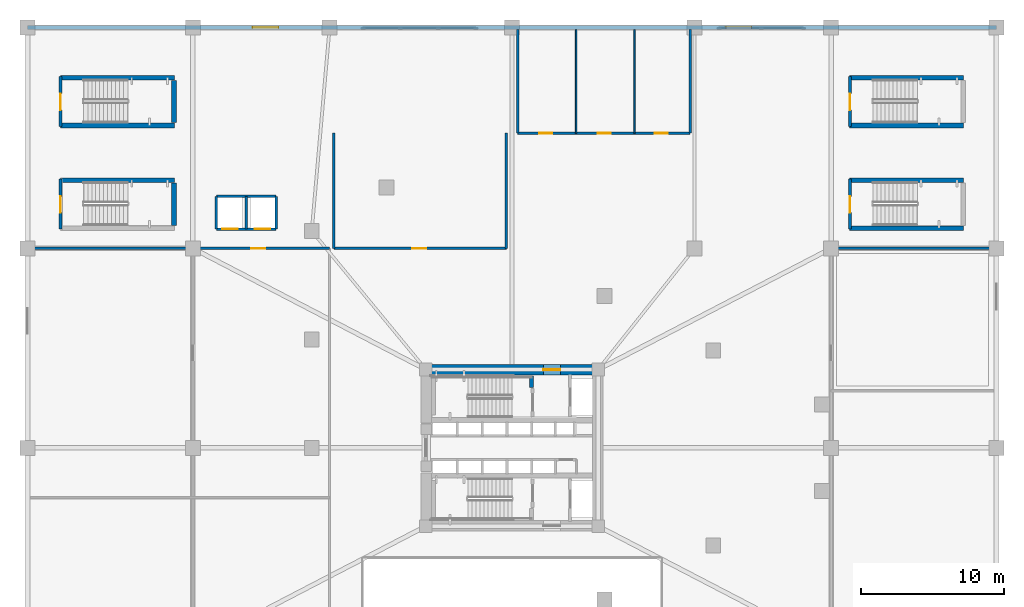
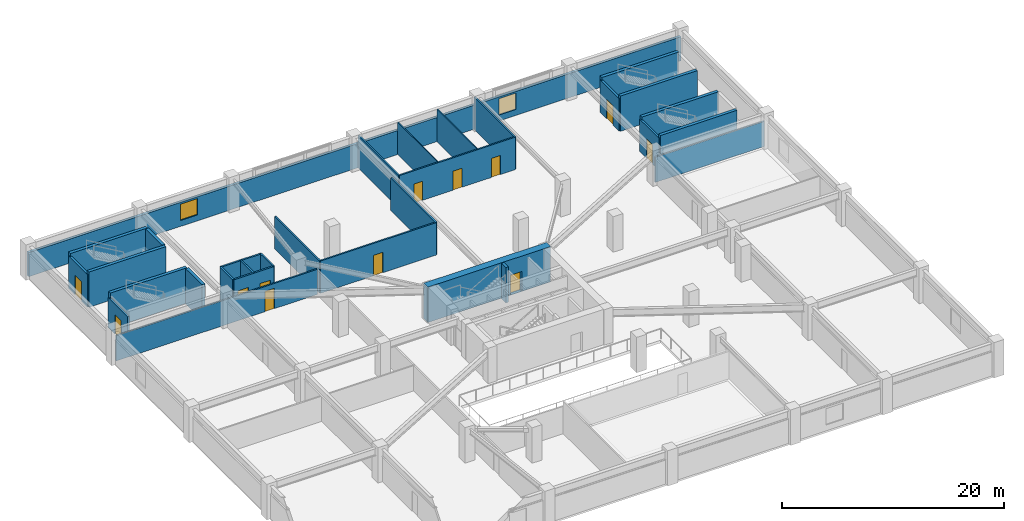
# One storey, part 6 of 15: 31 walls, 12 doors, 2 windows, 14 openings.
"""IFC4 building model written with IfcOpenShell, lengths in metres."""

from ifc_helpers import new_model, si_unit, direction, frame, frame_2d, origin, place, context, subcontext, project, spatial, rectangle, extrude, material, layer, layer_set, type_object, element, fill, save


model = new_model("IFC4")

# Units and contexts
model_context = context("Model", 3, precision=1e-05, world=origin(), true_north=direction((0.0, 1.0)))
body_context = subcontext(model_context, "Body", "Model", "MODEL_VIEW")
ifc_project = project(units=[si_unit("LENGTHUNIT", "METRE"), si_unit("AREAUNIT", "SQUARE_METRE"), si_unit("VOLUMEUNIT", "CUBIC_METRE"), si_unit("PLANEANGLEUNIT", "RADIAN"), si_unit("MASSUNIT", "GRAM", prefix="KILO")], contexts=[model_context])

# Site, building, storey
site_placement = place(None, origin())
site = spatial("IfcSite", under=ifc_project, at=site_placement, CompositionType="ELEMENT")
building_placement = place(site_placement, origin())
building = spatial("IfcBuilding", under=site, at=building_placement, Name="Yunling Apex Tower", CompositionType="ELEMENT")
storey_placement = place(building_placement, frame((0.0, 0.0, 12.300048828125)))
storey = spatial("IfcBuildingStorey", under=building, at=storey_placement, Name="L04", CompositionType="ELEMENT", Elevation=12.300048828125)

# Wall, opening, door
ifc_material_1 = material(Name="Concrete C60", Category="concrete")
ifc_layer_1 = layer(ifc_material_1, 0.75)
ifc_layer_set_1 = layer_set([ifc_layer_1], Name="Concrete C60")
wall_type_1 = type_object("IfcWallType", Name="WL-COR-1", PredefinedType="SHEAR", material=ifc_layer_set_1)
wall_1_placement = place(storey_placement, frame((-6.39990234375, 5.47509765625, 0.0), z_axis=(0.0, 0.0, 1.0), x_axis=(1.0, 0.0, 0.0)))
wall_1 = element("IfcWall", 1, at=wall_1_placement, inside=storey, type_object=wall_type_1, Name="L04 North Core Shear Wall", PredefinedType="SHEAR", context=body_context, shape_type="SweptSolid", body=[
    extrude(rectangle(XDim=12.7998046875, YDim=0.75, at=frame_2d((6.39990234375, 0.0))), origin(), (0.0, 0.0, 1.0), 3.89990234375),
])
opening_1_placement = place(wall_1_placement, frame((8.60009765625, 0.0, 0.0)))
opening_1 = element("IfcOpeningElement", 2, at=opening_1_placement, cuts=wall_1, Name="Opening DR-FFL-1", PredefinedType="OPENING", context=body_context, shape_type="SweptSolid", body=[
    extrude(rectangle(XDim=1.199951171875, YDim=2.199951171875, at=frame_2d((0.60009765625, 1.10009765625))), frame((0.0, 0.385009765625, 0.0), z_axis=(0.0, -1.0, 0.0), x_axis=(1.0, 0.0, 0.0)), (0.0, 0.0, 1.0), 0.77001953125),
])
ifc_material_2 = material(Name="Steel Q355B", Category="steel")
door_type_1 = type_object("IfcDoorType", Name="DR-FFL-1", OperationType="NOTDEFINED", PredefinedType="DOOR", material=ifc_material_2)
door_1_placement = place(opening_1_placement, origin())
door_1 = element("IfcDoor", 3, at=door_1_placement, inside=storey, type_object=door_type_1, Name="L04 North Firefighting Lobby Door", OperationType="SINGLE_SWING_LEFT", OverallHeight=2.199951171875, OverallWidth=1.199951171875, PredefinedType="DOOR", context=body_context, shape_type="SweptSolid", body=[
    extrude(rectangle(XDim=1.199951171875, YDim=2.199951171875, at=frame_2d((0.60009765625, 1.10009765625))), frame((0.0, 0.02490234375, 0.0), z_axis=(0.0, -1.0, 0.0), x_axis=(1.0, 0.0, 0.0)), (0.0, 0.0, 1.0), 0.050048828125),
])
fill(opening_1, door_1)

# Walls
ifc_material_3 = material(Name="Concrete C40", Category="concrete")
ifc_layer_2 = layer(ifc_material_3, 0.320068359375)
ifc_layer_set_2 = layer_set([ifc_layer_2], Name="Concrete C40")
wall_type_2 = type_object("IfcWallType", Name="WL-COR-7", PredefinedType="SHEAR", material=ifc_layer_set_2)
wall_2_placement = place(storey_placement, frame((-31.699951171875, 18.780029296875, 0.0), z_axis=(0.0, 0.0, 1.0), x_axis=(1.0, 0.0, 0.0)))
element("IfcWall", 4, at=wall_2_placement, inside=storey, type_object=wall_type_2, Name="L04 STP1 North Bearing Wall", PredefinedType="SHEAR", context=body_context, shape_type="SweptSolid", body=[
    extrude(rectangle(XDim=8.0, YDim=0.320068359375, at=frame_2d((4.0, 0.0))), origin(), (0.0, 0.0, 1.0), 3.89990234375),
])
wall_3_placement = place(storey_placement, frame((-23.719970703125, 15.6201171875, 0.0), z_axis=(0.0, 0.0, 1.0), x_axis=(0.0, 1.0, 0.0)))
element("IfcWall", 5, at=wall_3_placement, inside=storey, type_object=wall_type_2, Name="L04 STP1 Half-Landing Bearing Wall", PredefinedType="SHEAR", context=body_context, shape_type="SweptSolid", body=[
    extrude(rectangle(XDim=2.9599609375, YDim=0.320068359375, at=frame_2d((1.47998046875, 0.0))), origin(), (0.0, 0.0, 1.0), 3.89990234375),
])
for number, where, z_axis, x_axis, name in (
    (6, (23.699951171875, 18.780029296875, 0.0), (0.0, 0.0, 1.0), (1.0, 0.0, 0.0), "L04 STP2 North Bearing Wall"),
    (7, (23.699951171875, 15.419921875, 0.0), (0.0, 0.0, 1.0), (1.0, 0.0, 0.0), "L04 STP2 South Bearing Wall"),
    (8, (-31.699951171875, 25.97998046875, 0.0), (0.0, 0.0, 1.0), (1.0, 0.0, 0.0), "L04 STG1 North Bearing Wall"),
    (9, (-31.699951171875, 22.6201171875, 0.0), (0.0, 0.0, 1.0), (1.0, 0.0, 0.0), "L04 STG1 South Bearing Wall"),
):
    element("IfcWall", number, at=place(storey_placement, frame(where, z_axis=z_axis, x_axis=x_axis)), inside=storey, type_object=wall_type_2, Name=name, PredefinedType="SHEAR", context=body_context, shape_type="SweptSolid", body=[
        extrude(rectangle(XDim=8.0, YDim=0.320068359375, at=frame_2d((4.0, 0.0))), origin(), (0.0, 0.0, 1.0), 3.89990234375),
    ])
wall_4_placement = place(storey_placement, frame((-23.719970703125, 22.820068359375, 0.0), z_axis=(0.0, 0.0, 1.0), x_axis=(0.0, 1.0, 0.0)))
element("IfcWall", 10, at=wall_4_placement, inside=storey, type_object=wall_type_2, Name="L04 STG1 Half-Landing Bearing Wall", PredefinedType="SHEAR", context=body_context, shape_type="SweptSolid", body=[
    extrude(rectangle(XDim=2.9599609375, YDim=0.320068359375, at=frame_2d((1.47998046875, 0.0))), origin(), (0.0, 0.0, 1.0), 3.89990234375),
])
for number, where, z_axis, x_axis, name in (
    (11, (23.699951171875, 25.97998046875, 0.0), (0.0, 0.0, 1.0), (1.0, 0.0, 0.0), "L04 STG2 North Bearing Wall"),
    (12, (23.699951171875, 22.6201171875, 0.0), (0.0, 0.0, 1.0), (1.0, 0.0, 0.0), "L04 STG2 South Bearing Wall"),
):
    element("IfcWall", number, at=place(storey_placement, frame(where, z_axis=z_axis, x_axis=x_axis)), inside=storey, type_object=wall_type_2, Name=name, PredefinedType="SHEAR", context=body_context, shape_type="SweptSolid", body=[
        extrude(rectangle(XDim=8.0, YDim=0.320068359375, at=frame_2d((4.0, 0.0))), origin(), (0.0, 0.0, 1.0), 3.89990234375),
    ])
ifc_layer_3 = layer(ifc_material_3, 0.280029296875)
ifc_layer_set_3 = layer_set([ifc_layer_3], Name="Concrete C40")
wall_type_3 = type_object("IfcWallType", Name="WL-COR-8", PredefinedType="SHEAR", material=ifc_layer_set_3)
wall_5_placement = place(storey_placement, frame((1.3798828125, 4.25, 0.0), z_axis=(0.0, 0.0, 1.0), x_axis=(0.0, 1.0, 0.0)))
element("IfcWall", 13, at=wall_5_placement, inside=storey, type_object=wall_type_3, Name="L04 ST-1 East Landing Bearing Pier", PredefinedType="SHEAR", context=body_context, shape_type="SweptSolid", body=[
    extrude(rectangle(XDim=0.800048828125, YDim=0.280029296875, at=frame_2d((0.39990234375, 0.0))), origin(), (0.0, 0.0, 1.0), 3.89990234375),
])

# Wall, openings, windows
ifc_material_4 = material(Name="Precast concrete C40", Category="concrete")
ifc_layer_4 = layer(ifc_material_4, 0.280029296875)
ifc_layer_set_4 = layer_set([ifc_layer_4], Name="Precast concrete C40")
wall_type_4 = type_object("IfcWallType", Name="WL-EXT-2", PredefinedType="SOLIDWALL", material=ifc_layer_set_4)
wall_6_placement = place(storey_placement, frame((-34.0, 29.5, 0.0), z_axis=(0.0, 0.0, 1.0), x_axis=(1.0, 0.0, 0.0)))
wall_6 = element("IfcWall", 14, at=wall_6_placement, inside=storey, type_object=wall_type_4, Name="WL-POD-L04-N", PredefinedType="SOLIDWALL", context=body_context, shape_type="SweptSolid", body=[
    extrude(rectangle(XDim=68.0, YDim=0.280029296875, at=frame_2d((34.0, 0.0))), origin(), (0.0, 0.0, 1.0), 2.64990234375),
])
opening_2_placement = place(wall_6_placement, frame((15.800048828125, 0.0, 0.64990234375)))
opening_2 = element("IfcOpeningElement", 15, at=opening_2_placement, cuts=wall_6, Name="Opening WN-POD-2", PredefinedType="OPENING", context=body_context, shape_type="SweptSolid", body=[
    extrude(rectangle(XDim=1.800048828125, YDim=1.800048828125, at=frame_2d((0.89990234375, 0.89990234375))), frame((0.0, 0.14990234375, 0.0), z_axis=(0.0, -1.0, 0.0), x_axis=(1.0, 0.0, 0.0)), (0.0, 0.0, 1.0), 0.300048828125),
])
opening_3_placement = place(wall_6_placement, frame((49.0, 0.0, 0.64990234375)))
opening_3 = element("IfcOpeningElement", 16, at=opening_3_placement, cuts=wall_6, Name="Opening WN-POD-2", PredefinedType="OPENING", context=body_context, shape_type="SweptSolid", body=[
    extrude(rectangle(XDim=1.800048828125, YDim=1.800048828125, at=frame_2d((0.89990234375, 0.89990234375))), frame((0.0, 0.14990234375, 0.0), z_axis=(0.0, -1.0, 0.0), x_axis=(1.0, 0.0, 0.0)), (0.0, 0.0, 1.0), 0.300048828125),
])
ifc_material_5 = material(Name="Bronze tinted low-E glass", Category="glass")
window_type = type_object("IfcWindowType", Name="WN-POD-2", PartitioningType="SINGLE_PANEL", PredefinedType="WINDOW", material=ifc_material_5)
window_1_placement = place(opening_2_placement, origin())
window_1 = element("IfcWindow", 17, at=window_1_placement, inside=storey, type_object=window_type, Name="WN-L04-N-1", OverallHeight=1.800048828125, OverallWidth=1.800048828125, PartitioningType="SINGLE_PANEL", PredefinedType="WINDOW", context=body_context, shape_type="SweptSolid", body=[
    extrude(rectangle(XDim=1.800048828125, YDim=1.800048828125, at=frame_2d((0.89990234375, 0.89990234375))), frame((0.0, 0.030029296875, 0.0), z_axis=(0.0, -1.0, 0.0), x_axis=(1.0, 0.0, 0.0)), (0.0, 0.0, 1.0), 0.06005859375),
])
fill(opening_2, window_1)
window_2_placement = place(opening_3_placement, origin())
window_2 = element("IfcWindow", 18, at=window_2_placement, inside=storey, type_object=window_type, Name="WN-L04-N-2", OverallHeight=1.800048828125, OverallWidth=1.800048828125, PartitioningType="SINGLE_PANEL", PredefinedType="WINDOW", context=body_context, shape_type="SweptSolid", body=[
    extrude(rectangle(XDim=1.800048828125, YDim=1.800048828125, at=frame_2d((0.89990234375, 0.89990234375))), frame((0.0, 0.030029296875, 0.0), z_axis=(0.0, -1.0, 0.0), x_axis=(1.0, 0.0, 0.0)), (0.0, 0.0, 1.0), 0.06005859375),
])
fill(opening_3, window_2)

# Wall, openings, doors
ifc_material_6 = material(Name="Gypsum board acoustic partition")
ifc_layer_5 = layer(ifc_material_6, 0.159912109375)
ifc_layer_set_5 = layer_set([ifc_layer_5], Name="Gypsum board acoustic partition")
wall_type_5 = type_object("IfcWallType", Name="WL-PRT-1", PredefinedType="PARTITIONING", material=ifc_layer_set_5)
wall_7_placement = place(storey_placement, frame((0.39990234375, 22.080078125, 0.0), z_axis=(0.0, 0.0, 1.0), x_axis=(1.0, 0.0, 0.0)))
wall_7 = element("IfcWall", 19, at=wall_7_placement, inside=storey, type_object=wall_type_5, Name="WL-L04-WCS", PredefinedType="PARTITIONING", context=body_context, shape_type="SweptSolid", body=[
    extrude(rectangle(XDim=12.10009765625, YDim=0.159912109375, at=frame_2d((6.050048828125, 0.0))), origin(), (0.0, 0.0, 1.0), 3.570068359375),
])
opening_4_placement = place(wall_7_placement, frame((1.5, 0.0, 0.0)))
opening_4 = element("IfcOpeningElement", 20, at=opening_4_placement, cuts=wall_7, Name="Opening DR-WC-1", PredefinedType="OPENING", context=body_context, shape_type="SweptSolid", body=[
    extrude(rectangle(XDim=0.919921875, YDim=2.10009765625, at=frame_2d((0.4599609375, 1.050048828125))), frame((0.0, 0.08984375, 0.0), z_axis=(0.0, -1.0, 0.0), x_axis=(1.0, 0.0, 0.0)), (0.0, 0.0, 1.0), 0.179931640625),
])
opening_5_placement = place(wall_7_placement, frame((5.60009765625, 0.0, 0.0)))
opening_5 = element("IfcOpeningElement", 21, at=opening_5_placement, cuts=wall_7, Name="Opening DR-WC-1", PredefinedType="OPENING", context=body_context, shape_type="SweptSolid", body=[
    extrude(rectangle(XDim=0.919921875, YDim=2.10009765625, at=frame_2d((0.4599609375, 1.050048828125))), frame((0.0, 0.08984375, 0.0), z_axis=(0.0, -1.0, 0.0), x_axis=(1.0, 0.0, 0.0)), (0.0, 0.0, 1.0), 0.179931640625),
])
opening_6_placement = place(wall_7_placement, frame((9.60009765625, 0.0, 0.0)))
opening_6 = element("IfcOpeningElement", 22, at=opening_6_placement, cuts=wall_7, Name="Opening DR-WC-1", PredefinedType="OPENING", context=body_context, shape_type="SweptSolid", body=[
    extrude(rectangle(XDim=0.919921875, YDim=2.10009765625, at=frame_2d((0.4599609375, 1.050048828125))), frame((0.0, 0.08984375, 0.0), z_axis=(0.0, -1.0, 0.0), x_axis=(1.0, 0.0, 0.0)), (0.0, 0.0, 1.0), 0.179931640625),
])
ifc_material_7 = material(Name="Timber moisture-resistant leaf", Category="wood")
door_type_2 = type_object("IfcDoorType", Name="DR-WC-1", OperationType="NOTDEFINED", PredefinedType="DOOR", material=ifc_material_7)
door_2_placement = place(opening_4_placement, origin())
door_2 = element("IfcDoor", 23, at=door_2_placement, inside=storey, type_object=door_type_2, Name="L04 Male Toilet Door", OperationType="SINGLE_SWING_LEFT", OverallHeight=2.10009765625, OverallWidth=0.919921875, PredefinedType="DOOR", context=body_context, shape_type="SweptSolid", body=[
    extrude(rectangle(XDim=0.919921875, YDim=2.10009765625, at=frame_2d((0.4599609375, 1.050048828125))), frame((0.0, 0.02490234375, 0.0), z_axis=(0.0, -1.0, 0.0), x_axis=(1.0, 0.0, 0.0)), (0.0, 0.0, 1.0), 0.050048828125),
])
fill(opening_4, door_2)
door_3_placement = place(opening_5_placement, origin())
door_3 = element("IfcDoor", 24, at=door_3_placement, inside=storey, type_object=door_type_2, Name="L04 Female Toilet Door", OperationType="SINGLE_SWING_RIGHT", OverallHeight=2.10009765625, OverallWidth=0.919921875, PredefinedType="DOOR", context=body_context, shape_type="SweptSolid", body=[
    extrude(rectangle(XDim=0.919921875, YDim=2.10009765625, at=frame_2d((0.4599609375, 1.050048828125))), frame((0.0, 0.02490234375, 0.0), z_axis=(0.0, -1.0, 0.0), x_axis=(1.0, 0.0, 0.0)), (0.0, 0.0, 1.0), 0.050048828125),
])
fill(opening_5, door_3)
door_4_placement = place(opening_6_placement, origin())
door_4 = element("IfcDoor", 25, at=door_4_placement, inside=storey, type_object=door_type_2, Name="L04 Accessible WC Door", OperationType="SINGLE_SWING_LEFT", OverallHeight=2.10009765625, OverallWidth=0.919921875, PredefinedType="DOOR", context=body_context, shape_type="SweptSolid", body=[
    extrude(rectangle(XDim=0.919921875, YDim=2.10009765625, at=frame_2d((0.4599609375, 1.050048828125))), frame((0.0, 0.02490234375, 0.0), z_axis=(0.0, -1.0, 0.0), x_axis=(1.0, 0.0, 0.0)), (0.0, 0.0, 1.0), 0.050048828125),
])
fill(opening_6, door_4)

# Walls
for number, where, z_axis, x_axis, name in (
    (26, (0.39990234375, 22.080078125, 0.0), (0.0, 0.0, 1.0), (0.0, 1.0, 0.0), "WL-L04-WCW"),
    (27, (12.5, 22.080078125, 0.0), (0.0, 0.0, 1.0), (0.0, 1.0, 0.0), "WL-L04-WCE"),
):
    element("IfcWall", number, at=place(storey_placement, frame(where, z_axis=z_axis, x_axis=x_axis)), inside=storey, type_object=wall_type_5, Name=name, PredefinedType="PARTITIONING", context=body_context, shape_type="SweptSolid", body=[
        extrude(rectangle(XDim=7.27001953125, YDim=0.159912109375, at=frame_2d((3.635009765625, 0.0))), origin(), (0.0, 0.0, 1.0), 3.570068359375),
    ])

# Wall, opening, door
wall_8_placement = place(storey_placement, frame((-33.800048828125, 14.0, 0.0), z_axis=(0.0, 0.0, 1.0), x_axis=(1.0, 0.0, 0.0)))
wall_8 = element("IfcWall", 28, at=wall_8_placement, inside=storey, type_object=wall_type_5, Name="WL-L04-WN", PredefinedType="PARTITIONING", context=body_context, shape_type="SweptSolid", body=[
    extrude(rectangle(XDim=21.0, YDim=0.159912109375, at=frame_2d((10.5, 0.0))), origin(), (0.0, 0.0, 1.0), 2.77490234375),
])
opening_7_placement = place(wall_8_placement, frame((15.5, 0.0, 0.0)))
opening_7 = element("IfcOpeningElement", 29, at=opening_7_placement, cuts=wall_8, Name="Opening DR-OFF-1", PredefinedType="OPENING", context=body_context, shape_type="SweptSolid", body=[
    extrude(rectangle(XDim=1.0, YDim=2.25, at=frame_2d((0.5, 1.125))), frame((0.0, 0.08984375, 0.0), z_axis=(0.0, -1.0, 0.0), x_axis=(1.0, 0.0, 0.0)), (0.0, 0.0, 1.0), 0.179931640625),
])
ifc_material_8 = material(Name="Bronze anodised aluminium", Category="aluminium")
door_type_3 = type_object("IfcDoorType", Name="DR-OFF-1", OperationType="NOTDEFINED", PredefinedType="DOOR", material=ifc_material_8)
door_5_placement = place(opening_7_placement, origin())
door_5 = element("IfcDoor", 30, at=door_5_placement, inside=storey, type_object=door_type_3, Name="L04 Executive Boardroom Door", OperationType="SINGLE_SWING_LEFT", OverallHeight=2.25, OverallWidth=1.0, PredefinedType="DOOR", context=body_context, shape_type="SweptSolid", body=[
    extrude(rectangle(XDim=1.0, YDim=2.25, at=frame_2d((0.5, 1.125))), frame((0.0, 0.02490234375, 0.0), z_axis=(0.0, -1.0, 0.0), x_axis=(1.0, 0.0, 0.0)), (0.0, 0.0, 1.0), 0.050048828125),
])
fill(opening_7, door_5)

# Wall
wall_9_placement = place(storey_placement, frame((22.39990234375, 14.0, 0.0), z_axis=(0.0, 0.0, 1.0), x_axis=(1.0, 0.0, 0.0)))
element("IfcWall", 31, at=wall_9_placement, inside=storey, type_object=wall_type_5, Name="WL-L04-EN", PredefinedType="PARTITIONING", context=body_context, shape_type="SweptSolid", body=[
    extrude(rectangle(XDim=11.400146484375, YDim=0.159912109375, at=frame_2d((5.7001953125, 0.0))), origin(), (0.0, 0.0, 1.0), 2.77490234375),
])

# Wall, opening, door
wall_10_placement = place(storey_placement, frame((-12.5, 14.0, 0.0), z_axis=(0.0, 0.0, 1.0), x_axis=(1.0, 0.0, 0.0)))
wall_10 = element("IfcWall", 32, at=wall_10_placement, inside=storey, type_object=wall_type_5, Name="WL-L04-NCS", PredefinedType="PARTITIONING", context=body_context, shape_type="SweptSolid", body=[
    extrude(rectangle(XDim=12.10009765625, YDim=0.159912109375, at=frame_2d((6.050048828125, 0.0))), origin(), (0.0, 0.0, 1.0), 3.570068359375),
])
opening_8_placement = place(wall_10_placement, frame((5.5, 0.0, 0.0)))
opening_8 = element("IfcOpeningElement", 33, at=opening_8_placement, cuts=wall_10, Name="Opening DR-OFF-1", PredefinedType="OPENING", context=body_context, shape_type="SweptSolid", body=[
    extrude(rectangle(XDim=1.0, YDim=2.25, at=frame_2d((0.5, 1.125))), frame((0.0, 0.08984375, 0.0), z_axis=(0.0, -1.0, 0.0), x_axis=(1.0, 0.0, 0.0)), (0.0, 0.0, 1.0), 0.179931640625),
])
door_6_placement = place(opening_8_placement, origin())
door_6 = element("IfcDoor", 34, at=door_6_placement, inside=storey, type_object=door_type_3, Name="L04 North Suite Door", OperationType="SINGLE_SWING_RIGHT", OverallHeight=2.25, OverallWidth=1.0, PredefinedType="DOOR", context=body_context, shape_type="SweptSolid", body=[
    extrude(rectangle(XDim=1.0, YDim=2.25, at=frame_2d((0.5, 1.125))), frame((0.0, 0.02490234375, 0.0), z_axis=(0.0, -1.0, 0.0), x_axis=(1.0, 0.0, 0.0)), (0.0, 0.0, 1.0), 0.050048828125),
])
fill(opening_8, door_6)

# Walls
for number, where, z_axis, x_axis, name in (
    (35, (-12.5, 14.0, 0.0), (0.0, 0.0, 1.0), (0.0, 1.0, 0.0), "WL-L04-NCW"),
    (36, (-0.39990234375, 14.0, 0.0), (0.0, 0.0, 1.0), (0.0, 1.0, 0.0), "WL-L04-NCE"),
):
    element("IfcWall", number, at=place(storey_placement, frame(where, z_axis=z_axis, x_axis=x_axis)), inside=storey, type_object=wall_type_5, Name=name, PredefinedType="PARTITIONING", context=body_context, shape_type="SweptSolid", body=[
        extrude(rectangle(XDim=8.080078125, YDim=0.159912109375, at=frame_2d((4.0400390625, 0.0))), origin(), (0.0, 0.0, 1.0), 3.570068359375),
    ])
ifc_layer_6 = layer(ifc_material_6, 0.10009765625)
ifc_layer_set_6 = layer_set([ifc_layer_6], Name="Gypsum board acoustic partition")
wall_type_6 = type_object("IfcWallType", Name="WL-PRT-4", PredefinedType="PARTITIONING", material=ifc_layer_set_6)
for number, where, z_axis, x_axis, name in (
    (37, (4.5, 22.080078125, 0.0), (0.0, 0.0, 1.0), (0.0, 1.0, 0.0), "WL-L04-WCD1"),
    (38, (8.60009765625, 22.080078125, 0.0), (0.0, 0.0, 1.0), (0.0, 1.0, 0.0), "WL-L04-WCD2"),
):
    element("IfcWall", number, at=place(storey_placement, frame(where, z_axis=z_axis, x_axis=x_axis)), inside=storey, type_object=wall_type_6, Name=name, PredefinedType="PARTITIONING", context=body_context, shape_type="SweptSolid", body=[
        extrude(rectangle(XDim=7.27001953125, YDim=0.10009765625, at=frame_2d((3.635009765625, 0.0))), origin(), (0.0, 0.0, 1.0), 3.570068359375),
    ])

# Wall, opening, door
ifc_material_9 = material(Name="Autoclaved aerated concrete masonry", Category="masonry")
ifc_layer_7 = layer(ifc_material_9, 0.219970703125)
ifc_layer_set_7 = layer_set([ifc_layer_7], Name="Autoclaved aerated concrete masonry")
wall_type_7 = type_object("IfcWallType", Name="WL-SHF-1", PredefinedType="PLUMBINGWALL", material=ifc_layer_set_7)
wall_11_placement = place(storey_placement, frame((-31.679931640625, 15.35009765625, 0.0), z_axis=(0.0, 0.0, 1.0), x_axis=(0.0, 1.0, 0.0)))
wall_11 = element("IfcWall", 39, at=wall_11_placement, inside=storey, type_object=wall_type_7, Name="WL-STP1-W-L04", PredefinedType="PLUMBINGWALL", context=body_context, shape_type="SweptSolid", body=[
    extrude(rectangle(XDim=3.5, YDim=0.219970703125, at=frame_2d((1.75, 0.0))), origin(), (0.0, 0.0, 1.0), 3.300048828125),
])
opening_9_placement = place(wall_11_placement, frame((1.14990234375, 0.0, 0.0)))
opening_9 = element("IfcOpeningElement", 40, at=opening_9_placement, cuts=wall_11, Name="Opening DR-ST-1", PredefinedType="OPENING", context=body_context, shape_type="SweptSolid", body=[
    extrude(rectangle(XDim=1.14990234375, YDim=2.14990234375, at=frame_2d((0.574951171875, 1.074951171875))), frame((0.0, 0.1201171875, 0.0), z_axis=(0.0, -1.0, 0.0), x_axis=(1.0, 0.0, 0.0)), (0.0, 0.0, 1.0), 0.239990234375),
])
door_type_4 = type_object("IfcDoorType", Name="DR-ST-1", OperationType="NOTDEFINED", PredefinedType="DOOR", material=ifc_material_2)
door_7_placement = place(opening_9_placement, origin())
door_7 = element("IfcDoor", 41, at=door_7_placement, inside=storey, type_object=door_type_4, Name="L04 Stair ST-P1 Door", OperationType="SINGLE_SWING_LEFT", OverallHeight=2.14990234375, OverallWidth=1.14990234375, PredefinedType="DOOR", context=body_context, shape_type="SweptSolid", body=[
    extrude(rectangle(XDim=1.14990234375, YDim=2.14990234375, at=frame_2d((0.574951171875, 1.074951171875))), frame((0.0, 0.02490234375, 0.0), z_axis=(0.0, -1.0, 0.0), x_axis=(1.0, 0.0, 0.0)), (0.0, 0.0, 1.0), 0.050048828125),
])
fill(opening_9, door_7)

wall_12_placement = place(storey_placement, frame((23.719970703125, 15.35009765625, 0.0), z_axis=(0.0, 0.0, 1.0), x_axis=(0.0, 1.0, 0.0)))
wall_12 = element("IfcWall", 42, at=wall_12_placement, inside=storey, type_object=wall_type_7, Name="WL-STP2-W-L04", PredefinedType="PLUMBINGWALL", context=body_context, shape_type="SweptSolid", body=[
    extrude(rectangle(XDim=3.5, YDim=0.219970703125, at=frame_2d((1.75, 0.0))), origin(), (0.0, 0.0, 1.0), 3.570068359375),
])
opening_10_placement = place(wall_12_placement, frame((1.14990234375, 0.0, 0.0)))
opening_10 = element("IfcOpeningElement", 43, at=opening_10_placement, cuts=wall_12, Name="Opening DR-ST-1", PredefinedType="OPENING", context=body_context, shape_type="SweptSolid", body=[
    extrude(rectangle(XDim=1.14990234375, YDim=2.14990234375, at=frame_2d((0.574951171875, 1.074951171875))), frame((0.0, 0.1201171875, 0.0), z_axis=(0.0, -1.0, 0.0), x_axis=(1.0, 0.0, 0.0)), (0.0, 0.0, 1.0), 0.239990234375),
])
door_8_placement = place(opening_10_placement, origin())
door_8 = element("IfcDoor", 44, at=door_8_placement, inside=storey, type_object=door_type_4, Name="L04 Stair ST-P2 Door", OperationType="SINGLE_SWING_RIGHT", OverallHeight=2.14990234375, OverallWidth=1.14990234375, PredefinedType="DOOR", context=body_context, shape_type="SweptSolid", body=[
    extrude(rectangle(XDim=1.14990234375, YDim=2.14990234375, at=frame_2d((0.574951171875, 1.074951171875))), frame((0.0, 0.02490234375, 0.0), z_axis=(0.0, -1.0, 0.0), x_axis=(1.0, 0.0, 0.0)), (0.0, 0.0, 1.0), 0.050048828125),
])
fill(opening_10, door_8)

wall_13_placement = place(storey_placement, frame((-31.679931640625, 22.550048828125, 0.0), z_axis=(0.0, 0.0, 1.0), x_axis=(0.0, 1.0, 0.0)))
wall_13 = element("IfcWall", 45, at=wall_13_placement, inside=storey, type_object=wall_type_7, Name="WL-STG1-W-L04", PredefinedType="PLUMBINGWALL", context=body_context, shape_type="SweptSolid", body=[
    extrude(rectangle(XDim=3.5, YDim=0.219970703125, at=frame_2d((1.75, 0.0))), origin(), (0.0, 0.0, 1.0), 3.570068359375),
])
opening_11_placement = place(wall_13_placement, frame((1.14990234375, 0.0, 0.0)))
opening_11 = element("IfcOpeningElement", 46, at=opening_11_placement, cuts=wall_13, Name="Opening DR-ST-1", PredefinedType="OPENING", context=body_context, shape_type="SweptSolid", body=[
    extrude(rectangle(XDim=1.14990234375, YDim=2.14990234375, at=frame_2d((0.574951171875, 1.074951171875))), frame((0.0, 0.1201171875, 0.0), z_axis=(0.0, -1.0, 0.0), x_axis=(1.0, 0.0, 0.0)), (0.0, 0.0, 1.0), 0.239990234375),
])
door_9_placement = place(opening_11_placement, origin())
door_9 = element("IfcDoor", 47, at=door_9_placement, inside=storey, type_object=door_type_4, Name="L04 Garden Stair ST-G1 Door", OperationType="SINGLE_SWING_LEFT", OverallHeight=2.14990234375, OverallWidth=1.14990234375, PredefinedType="DOOR", context=body_context, shape_type="SweptSolid", body=[
    extrude(rectangle(XDim=1.14990234375, YDim=2.14990234375, at=frame_2d((0.574951171875, 1.074951171875))), frame((0.0, 0.02490234375, 0.0), z_axis=(0.0, -1.0, 0.0), x_axis=(1.0, 0.0, 0.0)), (0.0, 0.0, 1.0), 0.050048828125),
])
fill(opening_11, door_9)

wall_14_placement = place(storey_placement, frame((23.719970703125, 22.550048828125, 0.0), z_axis=(0.0, 0.0, 1.0), x_axis=(0.0, 1.0, 0.0)))
wall_14 = element("IfcWall", 48, at=wall_14_placement, inside=storey, type_object=wall_type_7, Name="WL-STG2-W-L04", PredefinedType="PLUMBINGWALL", context=body_context, shape_type="SweptSolid", body=[
    extrude(rectangle(XDim=3.5, YDim=0.219970703125, at=frame_2d((1.75, 0.0))), origin(), (0.0, 0.0, 1.0), 3.570068359375),
])
opening_12_placement = place(wall_14_placement, frame((1.14990234375, 0.0, 0.0)))
opening_12 = element("IfcOpeningElement", 49, at=opening_12_placement, cuts=wall_14, Name="Opening DR-ST-1", PredefinedType="OPENING", context=body_context, shape_type="SweptSolid", body=[
    extrude(rectangle(XDim=1.14990234375, YDim=2.14990234375, at=frame_2d((0.574951171875, 1.074951171875))), frame((0.0, 0.1201171875, 0.0), z_axis=(0.0, -1.0, 0.0), x_axis=(1.0, 0.0, 0.0)), (0.0, 0.0, 1.0), 0.239990234375),
])
door_10_placement = place(opening_12_placement, origin())
door_10 = element("IfcDoor", 50, at=door_10_placement, inside=storey, type_object=door_type_4, Name="L04 Garden Stair ST-G2 Door", OperationType="SINGLE_SWING_RIGHT", OverallHeight=2.14990234375, OverallWidth=1.14990234375, PredefinedType="DOOR", context=body_context, shape_type="SweptSolid", body=[
    extrude(rectangle(XDim=1.14990234375, YDim=2.14990234375, at=frame_2d((0.574951171875, 1.074951171875))), frame((0.0, 0.02490234375, 0.0), z_axis=(0.0, -1.0, 0.0), x_axis=(1.0, 0.0, 0.0)), (0.0, 0.0, 1.0), 0.050048828125),
])
fill(opening_12, door_10)

# Wall, openings, doors
ifc_layer_8 = layer(ifc_material_9, 0.179931640625)
ifc_layer_set_8 = layer_set([ifc_layer_8], Name="Autoclaved aerated concrete masonry")
wall_type_8 = type_object("IfcWallType", Name="WL-SHF-2", PredefinedType="PLUMBINGWALL", material=ifc_layer_set_8)
wall_15_placement = place(storey_placement, frame((-20.75, 15.35009765625, 0.0), z_axis=(0.0, 0.0, 1.0), x_axis=(1.0, 0.0, 0.0)))
wall_15 = element("IfcWall", 51, at=wall_15_placement, inside=storey, type_object=wall_type_8, Name="WL-PLP-S-L04", PredefinedType="PLUMBINGWALL", context=body_context, shape_type="SweptSolid", body=[
    extrude(rectangle(XDim=4.199951171875, YDim=0.179931640625, at=frame_2d((2.10009765625, 0.0))), origin(), (0.0, 0.0, 1.0), 3.570068359375),
])
opening_13_placement = place(wall_15_placement, frame((0.39990234375, 0.0, 0.0)))
opening_13 = element("IfcOpeningElement", 52, at=opening_13_placement, cuts=wall_15, Name="Opening LD-PAS-1", PredefinedType="OPENING", context=body_context, shape_type="SweptSolid", body=[
    extrude(rectangle(XDim=1.10009765625, YDim=2.199951171875, at=frame_2d((0.550048828125, 1.10009765625))), frame((0.0, 0.10009765625, 0.0), z_axis=(0.0, -1.0, 0.0), x_axis=(1.0, 0.0, 0.0)), (0.0, 0.0, 1.0), 0.199951171875),
])
opening_14_placement = place(wall_15_placement, frame((2.699951171875, 0.0, 0.0)))
opening_14 = element("IfcOpeningElement", 53, at=opening_14_placement, cuts=wall_15, Name="Opening LD-PAS-1", PredefinedType="OPENING", context=body_context, shape_type="SweptSolid", body=[
    extrude(rectangle(XDim=1.10009765625, YDim=2.199951171875, at=frame_2d((0.550048828125, 1.10009765625))), frame((0.0, 0.10009765625, 0.0), z_axis=(0.0, -1.0, 0.0), x_axis=(1.0, 0.0, 0.0)), (0.0, 0.0, 1.0), 0.199951171875),
])
ifc_material_10 = material(Name="Silver anodised aluminium", Category="aluminium")
door_type_5 = type_object("IfcDoorType", Name="LD-PAS-1", OperationType="DOUBLE_DOOR_SLIDING", PredefinedType="DOOR", material=ifc_material_10)
door_11_placement = place(opening_13_placement, origin())
door_11 = element("IfcDoor", 54, at=door_11_placement, inside=storey, type_object=door_type_5, Name="L04 Lift PL-P1 Landing Door", OperationType="DOUBLE_DOOR_SLIDING", OverallHeight=2.199951171875, OverallWidth=1.10009765625, PredefinedType="DOOR", context=body_context, shape_type="SweptSolid", body=[
    extrude(rectangle(XDim=1.10009765625, YDim=2.199951171875, at=frame_2d((0.550048828125, 1.10009765625))), frame((0.0, 0.02490234375, 0.0), z_axis=(0.0, -1.0, 0.0), x_axis=(1.0, 0.0, 0.0)), (0.0, 0.0, 1.0), 0.050048828125),
])
fill(opening_13, door_11)
door_12_placement = place(opening_14_placement, origin())
door_12 = element("IfcDoor", 55, at=door_12_placement, inside=storey, type_object=door_type_5, Name="L04 Lift PL-P2 Landing Door", OperationType="DOUBLE_DOOR_SLIDING", OverallHeight=2.199951171875, OverallWidth=1.10009765625, PredefinedType="DOOR", context=body_context, shape_type="SweptSolid", body=[
    extrude(rectangle(XDim=1.10009765625, YDim=2.199951171875, at=frame_2d((0.550048828125, 1.10009765625))), frame((0.0, 0.02490234375, 0.0), z_axis=(0.0, -1.0, 0.0), x_axis=(1.0, 0.0, 0.0)), (0.0, 0.0, 1.0), 0.050048828125),
])
fill(opening_14, door_12)

# Walls
wall_16_placement = place(storey_placement, frame((-20.75, 17.64990234375, 0.0), z_axis=(0.0, 0.0, 1.0), x_axis=(1.0, 0.0, 0.0)))
element("IfcWall", 56, at=wall_16_placement, inside=storey, type_object=wall_type_8, Name="WL-PLP-N-L04", PredefinedType="PLUMBINGWALL", context=body_context, shape_type="SweptSolid", body=[
    extrude(rectangle(XDim=4.199951171875, YDim=0.179931640625, at=frame_2d((2.10009765625, 0.0))), origin(), (0.0, 0.0, 1.0), 3.570068359375),
])
for number, where, z_axis, x_axis, name in (
    (57, (-20.75, 15.35009765625, 0.0), (0.0, 0.0, 1.0), (0.0, 1.0, 0.0), "WL-PLP-W-L04"),
    (58, (-18.64990234375, 15.35009765625, 0.0), (0.0, 0.0, 1.0), (0.0, 1.0, 0.0), "WL-PLP-M-L04"),
    (59, (-16.550048828125, 15.35009765625, 0.0), (0.0, 0.0, 1.0), (0.0, 1.0, 0.0), "WL-PLP-E-L04"),
):
    element("IfcWall", number, at=place(storey_placement, frame(where, z_axis=z_axis, x_axis=x_axis)), inside=storey, type_object=wall_type_8, Name=name, PredefinedType="PLUMBINGWALL", context=body_context, shape_type="SweptSolid", body=[
        extrude(rectangle(XDim=2.2998046875, YDim=0.179931640625, at=frame_2d((1.14990234375, 0.0))), origin(), (0.0, 0.0, 1.0), 3.570068359375),
    ])

save(model, "model.ifc")
